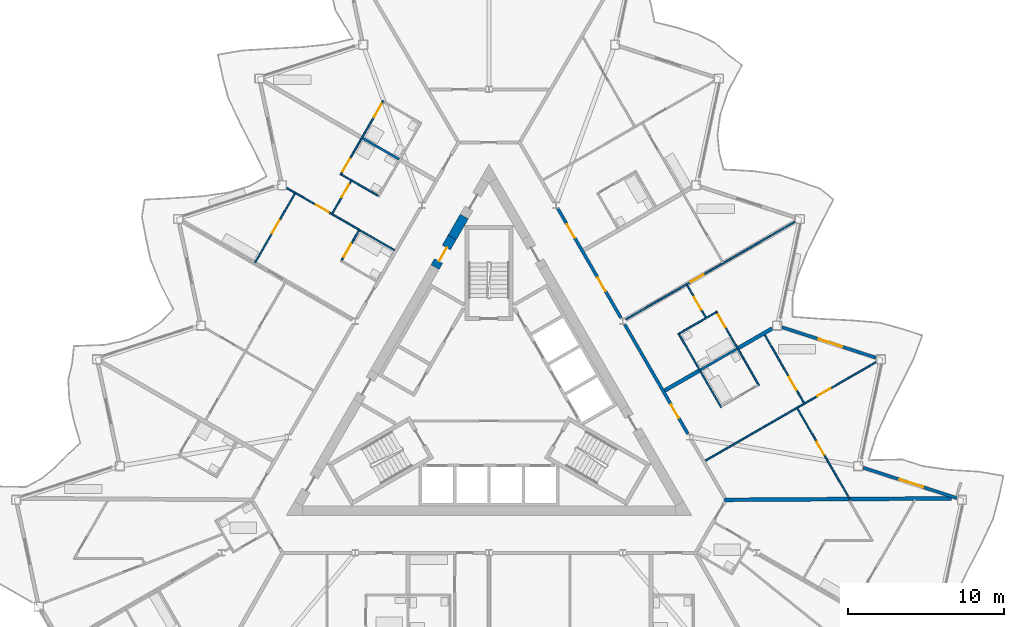
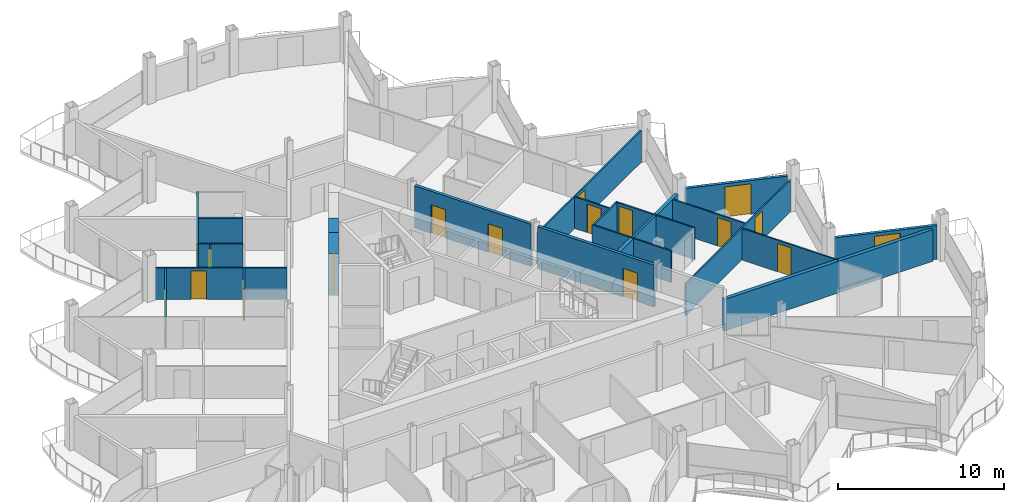
# One storey, part 16 of 26: 26 walls, 18 doors, 18 openings.
"""IFC4 building model written with IfcOpenShell, lengths in metres."""

from ifc_helpers import new_model, si_unit, direction, frame, frame_2d, origin, place, context, subcontext, project, spatial, rectangle, extrude, material, layer, layer_set, type_object, element, fill, save


model = new_model("IFC4")

# Units and contexts
model_context = context("Model", 3, precision=1e-05, world=origin(), true_north=direction((0.0, 1.0)))
body_context = subcontext(model_context, "Body", "Model", "MODEL_VIEW")
ifc_project = project(units=[si_unit("LENGTHUNIT", "METRE"), si_unit("AREAUNIT", "SQUARE_METRE"), si_unit("VOLUMEUNIT", "CUBIC_METRE"), si_unit("PLANEANGLEUNIT", "RADIAN"), si_unit("MASSUNIT", "GRAM", prefix="KILO")], contexts=[model_context])

# Site, building, storey
site_placement = place(None, origin())
site = spatial("IfcSite", under=ifc_project, at=site_placement, CompositionType="ELEMENT")
building_placement = place(site_placement, origin())
building = spatial("IfcBuilding", under=site, at=building_placement, Name="Cormorant Prow Tower", CompositionType="ELEMENT")
storey_placement = place(building_placement, frame((0.0, 0.0, 339.199951171875)))
storey = spatial("IfcBuildingStorey", under=building, at=storey_placement, Name="L76", CompositionType="ELEMENT", Elevation=339.199951171875)

# Wall
ifc_material_1 = material(Name="Concrete 8000 psi", Category="concrete")
ifc_layer_1 = layer(ifc_material_1, 0.60009765625)
ifc_layer_set_1 = layer_set([ifc_layer_1], Name="Concrete 8000 psi")
wall_type_1 = type_object("IfcWallType", Name="Core shear wall 600", PredefinedType="SHEAR", material=ifc_layer_set_1)
wall_1_placement = place(storey_placement, frame((-1.589599609375, 11.65771484375, 0.0), z_axis=(0.0, 0.0, 1.0), x_axis=(-0.500037594623, -0.866003697431, 0.0)))
element("IfcWall", 1, at=wall_1_placement, inside=storey, type_object=wall_type_1, Name="Core wall", PredefinedType="SHEAR", context=body_context, shape_type="SweptSolid", body=[
    extrude(rectangle(XDim=1.54248046875, YDim=0.60009765625, at=frame_2d((0.771240234375, 0.0))), origin(), (0.0, 0.0, 1.0), 3.10009765625),
])

# Wall, opening, door
wall_2_placement = place(storey_placement, frame((-2.36083984375, 10.322021484375, 0.0), z_axis=(0.0, 0.0, 1.0), x_axis=(-0.499946605688, -0.86605622881, 0.0)))
wall_2 = element("IfcWall", 2, at=wall_2_placement, inside=storey, type_object=wall_type_1, Name="Core wall door panel", PredefinedType="SHEAR", context=body_context, shape_type="SweptSolid", body=[
    extrude(rectangle(XDim=2.199951171875, YDim=0.60009765625, at=frame_2d((1.10009765625, 0.0))), origin(), (0.0, 0.0, 1.0), 3.10009765625),
])
opening_1_placement = place(wall_2_placement, frame((0.75, 0.0, 0.0)))
opening_1 = element("IfcOpeningElement", 3, at=opening_1_placement, cuts=wall_2, Name="Opening L76-C18", PredefinedType="OPENING", context=body_context, shape_type="SweptSolid", body=[
    extrude(rectangle(XDim=1.0, YDim=2.10009765625, at=frame_2d((0.5, 1.050048828125))), frame((0.0, 0.31005859375, 0.0), z_axis=(0.0, -1.0, 0.0), x_axis=(1.0, 0.0, 0.0)), (0.0, 0.0, 1.0), 0.6201171875),
])
ifc_material_2 = material(Name="Painted steel", Category="steel")
door_type_1 = type_object("IfcDoorType", Name="Service door 1000x2100", OperationType="NOTDEFINED", PredefinedType="DOOR", material=ifc_material_2)
door_1_placement = place(opening_1_placement, origin())
door_1 = element("IfcDoor", 4, at=door_1_placement, inside=storey, type_object=door_type_1, Name="Core door, Mechanical riser room", OperationType="SINGLE_SWING_LEFT", OverallHeight=2.10009765625, OverallWidth=1.0, PredefinedType="DOOR", context=body_context, shape_type="SweptSolid", body=[
    extrude(rectangle(XDim=1.0, YDim=2.10009765625, at=frame_2d((0.5, 1.050048828125))), frame((0.0, 0.05517578125, 0.0), z_axis=(0.0, -1.0, 0.0), x_axis=(1.0, 0.0, 0.0)), (0.0, 0.0, 1.0), 0.050048828125),
])
fill(opening_1, door_1)

# Wall, openings, doors
ifc_material_3 = material(Name="Gypsum board corridor wall")
ifc_layer_2 = layer(ifc_material_3, 0.199951171875)
ifc_layer_set_2 = layer_set([ifc_layer_2], Name="Gypsum board corridor wall")
wall_type_2 = type_object("IfcWallType", Name="Corridor wall 200", PredefinedType="PARTITIONING", material=ifc_layer_set_2)
wall_3_placement = place(storey_placement, frame((4.4091796875, 12.17431640625, 0.0), z_axis=(0.0, 0.0, 1.0), x_axis=(0.499984266882, -0.866034487114, 0.0)))
wall_3 = element("IfcWall", 5, at=wall_3_placement, inside=storey, type_object=wall_type_2, Name="Corridor wall", PredefinedType="PARTITIONING", context=body_context, shape_type="SweptSolid", body=[
    extrude(rectangle(XDim=8.098876953125, YDim=0.199951171875, at=frame_2d((4.04931640625, 0.0))), origin(), (0.0, 0.0, 1.0), 3.10009765625),
])
opening_2_placement = place(wall_3_placement, frame((5.123046875, 0.0, 0.0)))
opening_2 = element("IfcOpeningElement", 6, at=opening_2_placement, cuts=wall_3, Name="Opening L76-F28", PredefinedType="OPENING", context=body_context, shape_type="SweptSolid", body=[
    extrude(rectangle(XDim=1.0, YDim=2.10009765625, at=frame_2d((0.5, 1.050048828125))), frame((0.0, 0.10986328125, 0.0), z_axis=(0.0, -1.0, 0.0), x_axis=(1.0, 0.0, 0.0)), (0.0, 0.0, 1.0), 0.219970703125),
])
opening_3_placement = place(wall_3_placement, frame((1.16357421875, 0.0, 0.0)))
opening_3 = element("IfcOpeningElement", 7, at=opening_3_placement, cuts=wall_3, Name="Opening L76-F33", PredefinedType="OPENING", context=body_context, shape_type="SweptSolid", body=[
    extrude(rectangle(XDim=1.0, YDim=2.10009765625, at=frame_2d((0.5, 1.050048828125))), frame((0.0, 0.10986328125, 0.0), z_axis=(0.0, -1.0, 0.0), x_axis=(1.0, 0.0, 0.0)), (0.0, 0.0, 1.0), 0.219970703125),
])
ifc_material_4 = material(Name="Timber door leaf", Category="wood")
door_type_2 = type_object("IfcDoorType", Name="Flat or room entrance door 1000x2100", OperationType="NOTDEFINED", PredefinedType="DOOR", material=ifc_material_4)
door_2_placement = place(opening_2_placement, origin())
door_2 = element("IfcDoor", 8, at=door_2_placement, inside=storey, type_object=door_type_2, Name="Living room door", OperationType="SINGLE_SWING_LEFT", OverallHeight=2.10009765625, OverallWidth=1.0, PredefinedType="DOOR", context=body_context, shape_type="SweptSolid", body=[
    extrude(rectangle(XDim=1.0, YDim=2.10009765625, at=frame_2d((0.5, 1.050048828125))), frame((0.0, 0.02490234375, 0.0), z_axis=(0.0, -1.0, 0.0), x_axis=(1.0, 0.0, 0.0)), (0.0, 0.0, 1.0), 0.050048828125),
])
fill(opening_2, door_2)
door_3_placement = place(opening_3_placement, origin())
door_3 = element("IfcDoor", 9, at=door_3_placement, inside=storey, type_object=door_type_2, Name="Living room door", OperationType="SINGLE_SWING_RIGHT", OverallHeight=2.10009765625, OverallWidth=1.0, PredefinedType="DOOR", context=body_context, shape_type="SweptSolid", body=[
    extrude(rectangle(XDim=1.0, YDim=2.10009765625, at=frame_2d((0.5, 1.050048828125))), frame((0.0, 0.02490234375, 0.0), z_axis=(0.0, -1.0, 0.0), x_axis=(1.0, 0.0, 0.0)), (0.0, 0.0, 1.0), 0.050048828125),
])
fill(opening_3, door_3)

# Wall, opening, door
wall_4_placement = place(storey_placement, frame((8.698486328125, 4.7451171875, 0.0), z_axis=(0.0, 0.0, 1.0), x_axis=(0.499984266882, -0.866034487114, 0.0)))
wall_4 = element("IfcWall", 10, at=wall_4_placement, inside=storey, type_object=wall_type_2, Name="Corridor wall", PredefinedType="PARTITIONING", context=body_context, shape_type="SweptSolid", body=[
    extrude(rectangle(XDim=8.098876953125, YDim=0.199951171875, at=frame_2d((4.04931640625, 0.0))), origin(), (0.0, 0.0, 1.0), 3.10009765625),
])
opening_4_placement = place(wall_4_placement, frame((5.93505859375, 0.0, 0.0)))
opening_4 = element("IfcOpeningElement", 11, at=opening_4_placement, cuts=wall_4, Name="Opening L76-F23", PredefinedType="OPENING", context=body_context, shape_type="SweptSolid", body=[
    extrude(rectangle(XDim=1.0, YDim=2.10009765625, at=frame_2d((0.5, 1.050048828125))), frame((0.0, 0.10986328125, 0.0), z_axis=(0.0, -1.0, 0.0), x_axis=(1.0, 0.0, 0.0)), (0.0, 0.0, 1.0), 0.219970703125),
])
door_4_placement = place(opening_4_placement, origin())
door_4 = element("IfcDoor", 12, at=door_4_placement, inside=storey, type_object=door_type_2, Name="Living room door", OperationType="SINGLE_SWING_LEFT", OverallHeight=2.10009765625, OverallWidth=1.0, PredefinedType="DOOR", context=body_context, shape_type="SweptSolid", body=[
    extrude(rectangle(XDim=1.0, YDim=2.10009765625, at=frame_2d((0.5, 1.050048828125))), frame((0.0, 0.02490234375, 0.0), z_axis=(0.0, -1.0, 0.0), x_axis=(1.0, 0.0, 0.0)), (0.0, 0.0, 1.0), 0.050048828125),
])
fill(opening_4, door_4)

ifc_material_5 = material(Name="Gypsum board partition")
ifc_layer_3 = layer(ifc_material_5, 0.10009765625)
ifc_layer_set_3 = layer_set([ifc_layer_3], Name="Gypsum board partition")
wall_type_3 = type_object("IfcWallType", Name="Internal partition 100", PredefinedType="PARTITIONING", material=ifc_layer_set_3)
wall_5_placement = place(storey_placement, frame((13.862548828125, -3.99951171875, 0.0), z_axis=(0.0, 0.0, 1.0), x_axis=(0.866033203648, 0.499986489997, 0.0)))
wall_5 = element("IfcWall", 13, at=wall_5_placement, inside=storey, type_object=wall_type_3, Name="Internal partition", PredefinedType="PARTITIONING", context=body_context, shape_type="SweptSolid", body=[
    extrude(rectangle(XDim=12.646240234375, YDim=0.10009765625, at=frame_2d((6.3232421875, 0.0))), origin(), (0.0, 0.0, 1.0), 2.330078125),
])
opening_5_placement = place(wall_5_placement, frame((8.3193359375, 0.0, 0.0)))
opening_5 = element("IfcOpeningElement", 14, at=opening_5_placement, cuts=wall_5, Name="Opening L76-F26", PredefinedType="OPENING", context=body_context, shape_type="SweptSolid", body=[
    extrude(rectangle(XDim=0.949951171875, YDim=2.10009765625, at=frame_2d((0.47509765625, 1.050048828125))), frame((0.0, 0.06005859375, 0.0), z_axis=(0.0, -1.0, 0.0), x_axis=(1.0, 0.0, 0.0)), (0.0, 0.0, 1.0), 0.1201171875),
])
ifc_material_6 = material(Name="Timber door leaf", Category="wood")
door_type_3 = type_object("IfcDoorType", Name="Bathroom door 950x2100", OperationType="NOTDEFINED", PredefinedType="DOOR", material=ifc_material_6)
door_5_placement = place(opening_5_placement, origin())
door_5 = element("IfcDoor", 15, at=door_5_placement, inside=storey, type_object=door_type_3, Name="Kitchen door", OperationType="SINGLE_SWING_LEFT", OverallHeight=2.10009765625, OverallWidth=0.949951171875, PredefinedType="DOOR", context=body_context, shape_type="SweptSolid", body=[
    extrude(rectangle(XDim=0.949951171875, YDim=2.10009765625, at=frame_2d((0.47509765625, 1.050048828125))), frame((0.0, 0.02490234375, 0.0), z_axis=(0.0, -1.0, 0.0), x_axis=(1.0, 0.0, 0.0)), (0.0, 0.0, 1.0), 0.050048828125),
])
fill(opening_5, door_5)

wall_6_placement = place(storey_placement, frame((8.7861328125, 5.07275390625, 0.0), z_axis=(0.0, 0.0, 1.0), x_axis=(0.86602139559, 0.500006942333, 0.0)))
wall_6 = element("IfcWall", 16, at=wall_6_placement, inside=storey, type_object=wall_type_3, Name="Internal partition", PredefinedType="PARTITIONING", context=body_context, shape_type="SweptSolid", body=[
    extrude(rectangle(XDim=12.504638671875, YDim=0.10009765625, at=frame_2d((6.25244140625, 0.0))), origin(), (0.0, 0.0, 1.0), 2.330078125),
])
opening_6_placement = place(wall_6_placement, frame((4.7724609375, 0.0, 0.0)))
opening_6 = element("IfcOpeningElement", 17, at=opening_6_placement, cuts=wall_6, Name="Opening L76-F30", PredefinedType="OPENING", context=body_context, shape_type="SweptSolid", body=[
    extrude(rectangle(XDim=0.949951171875, YDim=2.10009765625, at=frame_2d((0.47509765625, 1.050048828125))), frame((0.0, 0.06005859375, 0.0), z_axis=(0.0, -1.0, 0.0), x_axis=(1.0, 0.0, 0.0)), (0.0, 0.0, 1.0), 0.1201171875),
])
door_6_placement = place(opening_6_placement, origin())
door_6 = element("IfcDoor", 18, at=door_6_placement, inside=storey, type_object=door_type_3, Name="Living room door", OperationType="SINGLE_SWING_LEFT", OverallHeight=2.10009765625, OverallWidth=0.949951171875, PredefinedType="DOOR", context=body_context, shape_type="SweptSolid", body=[
    extrude(rectangle(XDim=0.949951171875, YDim=2.10009765625, at=frame_2d((0.47509765625, 1.050048828125))), frame((0.0, 0.02490234375, 0.0), z_axis=(0.0, -1.0, 0.0), x_axis=(1.0, 0.0, 0.0)), (0.0, 0.0, 1.0), 0.050048828125),
])
fill(opening_6, door_6)

wall_7_placement = place(storey_placement, frame((-12.9619140625, 13.485107421875, 0.0), z_axis=(0.0, 0.0, 1.0), x_axis=(0.866021168401, -0.500007335828, 0.0)))
wall_7 = element("IfcWall", 19, at=wall_7_placement, inside=storey, type_object=wall_type_3, Name="Internal partition", PredefinedType="PARTITIONING", context=body_context, shape_type="SweptSolid", body=[
    extrude(rectangle(XDim=7.96240234375, YDim=0.10009765625, at=frame_2d((3.981201171875, 0.0))), origin(), (0.0, 0.0, 1.0), 2.330078125),
])
opening_7_placement = place(wall_7_placement, frame((2.153564453125, 0.0, 0.0)))
opening_7 = element("IfcOpeningElement", 20, at=opening_7_placement, cuts=wall_7, Name="Opening L76-F45", PredefinedType="OPENING", context=body_context, shape_type="SweptSolid", body=[
    extrude(rectangle(XDim=0.949951171875, YDim=2.10009765625, at=frame_2d((0.47509765625, 1.050048828125))), frame((0.0, 0.06005859375, 0.0), z_axis=(0.0, -1.0, 0.0), x_axis=(1.0, 0.0, 0.0)), (0.0, 0.0, 1.0), 0.1201171875),
])
door_7_placement = place(opening_7_placement, origin())
door_7 = element("IfcDoor", 21, at=door_7_placement, inside=storey, type_object=door_type_3, Name="Living room door", OperationType="SINGLE_SWING_RIGHT", OverallHeight=2.10009765625, OverallWidth=0.949951171875, PredefinedType="DOOR", context=body_context, shape_type="SweptSolid", body=[
    extrude(rectangle(XDim=0.949951171875, YDim=2.10009765625, at=frame_2d((0.47509765625, 1.050048828125))), frame((0.0, 0.02490234375, 0.0), z_axis=(0.0, -1.0, 0.0), x_axis=(1.0, 0.0, 0.0)), (0.0, 0.0, 1.0), 0.050048828125),
])
fill(opening_7, door_7)

wall_8_placement = place(storey_placement, frame((19.772705078125, -0.64501953125, 0.0), z_axis=(0.0, 0.0, 1.0), x_axis=(0.499998644583, -0.866026186333, 0.0)))
wall_8 = element("IfcWall", 22, at=wall_8_placement, inside=storey, type_object=wall_type_3, Name="Internal partition", PredefinedType="PARTITIONING", context=body_context, shape_type="SweptSolid", body=[
    extrude(rectangle(XDim=6.7080078125, YDim=0.10009765625, at=frame_2d((3.35400390625, 0.0))), origin(), (0.0, 0.0, 1.0), 2.330078125),
])
opening_8_placement = place(wall_8_placement, frame((2.474609375, 0.0, 0.0)))
opening_8 = element("IfcOpeningElement", 23, at=opening_8_placement, cuts=wall_8, Name="Opening L76-F27", PredefinedType="OPENING", context=body_context, shape_type="SweptSolid", body=[
    extrude(rectangle(XDim=0.949951171875, YDim=2.10009765625, at=frame_2d((0.47509765625, 1.050048828125))), frame((0.0, 0.06005859375, 0.0), z_axis=(0.0, -1.0, 0.0), x_axis=(1.0, 0.0, 0.0)), (0.0, 0.0, 1.0), 0.1201171875),
])
door_8_placement = place(opening_8_placement, origin())
door_8 = element("IfcDoor", 24, at=door_8_placement, inside=storey, type_object=door_type_3, Name="Bedroom door", OperationType="SINGLE_SWING_RIGHT", OverallHeight=2.10009765625, OverallWidth=0.949951171875, PredefinedType="DOOR", context=body_context, shape_type="SweptSolid", body=[
    extrude(rectangle(XDim=0.949951171875, YDim=2.10009765625, at=frame_2d((0.47509765625, 1.050048828125))), frame((0.0, 0.02490234375, 0.0), z_axis=(0.0, -1.0, 0.0), x_axis=(1.0, 0.0, 0.0)), (0.0, 0.0, 1.0), 0.050048828125),
])
fill(opening_8, door_8)

# Wall, openings, doors
wall_9_placement = place(storey_placement, frame((-9.51904296875, 14.323486328125, 0.0), z_axis=(0.0, 0.0, 1.0), x_axis=(0.499996545922, 0.866027397988, 0.0)))
wall_9 = element("IfcWall", 25, at=wall_9_placement, inside=storey, type_object=wall_type_3, Name="Internal partition", PredefinedType="PARTITIONING", context=body_context, shape_type="SweptSolid", body=[
    extrude(rectangle(XDim=5.5, YDim=0.10009765625, at=frame_2d((2.75, 0.0))), origin(), (0.0, 0.0, 1.0), 2.330078125),
])
opening_9_placement = place(wall_9_placement, frame((4.300048828125, 0.0, 0.0)))
opening_9 = element("IfcOpeningElement", 26, at=opening_9_placement, cuts=wall_9, Name="Opening L76-F41", PredefinedType="OPENING", context=body_context, shape_type="SweptSolid", body=[
    extrude(rectangle(XDim=0.949951171875, YDim=2.10009765625, at=frame_2d((0.47509765625, 1.050048828125))), frame((0.0, 0.06005859375, 0.0), z_axis=(0.0, -1.0, 0.0), x_axis=(1.0, 0.0, 0.0)), (0.0, 0.0, 1.0), 0.1201171875),
])
opening_10_placement = place(wall_9_placement, frame((0.25, 0.0, 0.0)))
opening_10 = element("IfcOpeningElement", 27, at=opening_10_placement, cuts=wall_9, Name="Opening L76-F51", PredefinedType="OPENING", context=body_context, shape_type="SweptSolid", body=[
    extrude(rectangle(XDim=0.949951171875, YDim=2.10009765625, at=frame_2d((0.47509765625, 1.050048828125))), frame((0.0, 0.06005859375, 0.0), z_axis=(0.0, -1.0, 0.0), x_axis=(1.0, 0.0, 0.0)), (0.0, 0.0, 1.0), 0.1201171875),
])
door_9_placement = place(opening_9_placement, origin())
door_9 = element("IfcDoor", 28, at=door_9_placement, inside=storey, type_object=door_type_3, Name="Studio living, kitchen and sleeping room door", OperationType="SINGLE_SWING_RIGHT", OverallHeight=2.10009765625, OverallWidth=0.949951171875, PredefinedType="DOOR", context=body_context, shape_type="SweptSolid", body=[
    extrude(rectangle(XDim=0.949951171875, YDim=2.10009765625, at=frame_2d((0.47509765625, 1.050048828125))), frame((0.0, 0.02490234375, 0.0), z_axis=(0.0, -1.0, 0.0), x_axis=(1.0, 0.0, 0.0)), (0.0, 0.0, 1.0), 0.050048828125),
])
fill(opening_9, door_9)
door_10_placement = place(opening_10_placement, origin())
door_10 = element("IfcDoor", 29, at=door_10_placement, inside=storey, type_object=door_type_3, Name="Bedroom door", OperationType="SINGLE_SWING_LEFT", OverallHeight=2.10009765625, OverallWidth=0.949951171875, PredefinedType="DOOR", context=body_context, shape_type="SweptSolid", body=[
    extrude(rectangle(XDim=0.949951171875, YDim=2.10009765625, at=frame_2d((0.47509765625, 1.050048828125))), frame((0.0, 0.02490234375, 0.0), z_axis=(0.0, -1.0, 0.0), x_axis=(1.0, 0.0, 0.0)), (0.0, 0.0, 1.0), 0.050048828125),
])
fill(opening_10, door_10)

# Wall, opening, door
wall_10_placement = place(storey_placement, frame((14.5654296875, 5.583251953125, 0.0), z_axis=(0.0, 0.0, 1.0), x_axis=(0.499996545922, -0.866027397988, 0.0)))
wall_10 = element("IfcWall", 30, at=wall_10_placement, inside=storey, type_object=wall_type_3, Name="Internal partition", PredefinedType="PARTITIONING", context=body_context, shape_type="SweptSolid", body=[
    extrude(rectangle(XDim=5.5, YDim=0.10009765625, at=frame_2d((2.75, 0.0))), origin(), (0.0, 0.0, 1.0), 2.330078125),
])
opening_11_placement = place(wall_10_placement, frame((0.25, 0.0, 0.0)))
opening_11 = element("IfcOpeningElement", 31, at=opening_11_placement, cuts=wall_10, Name="Opening L76-F32", PredefinedType="OPENING", context=body_context, shape_type="SweptSolid", body=[
    extrude(rectangle(XDim=0.949951171875, YDim=2.10009765625, at=frame_2d((0.47509765625, 1.050048828125))), frame((0.0, 0.06005859375, 0.0), z_axis=(0.0, -1.0, 0.0), x_axis=(1.0, 0.0, 0.0)), (0.0, 0.0, 1.0), 0.1201171875),
])
door_11_placement = place(opening_11_placement, origin())
door_11 = element("IfcDoor", 32, at=door_11_placement, inside=storey, type_object=door_type_3, Name="Bedroom door", OperationType="SINGLE_SWING_LEFT", OverallHeight=2.10009765625, OverallWidth=0.949951171875, PredefinedType="DOOR", context=body_context, shape_type="SweptSolid", body=[
    extrude(rectangle(XDim=0.949951171875, YDim=2.10009765625, at=frame_2d((0.47509765625, 1.050048828125))), frame((0.0, 0.02490234375, 0.0), z_axis=(0.0, -1.0, 0.0), x_axis=(1.0, 0.0, 0.0)), (0.0, 0.0, 1.0), 0.050048828125),
])
fill(opening_11, door_11)

# Wall
wall_11_placement = place(storey_placement, frame((12.140380859375, 4.18310546875, 0.0), z_axis=(0.0, 0.0, 1.0), x_axis=(0.499996545922, -0.866027397988, 0.0)))
element("IfcWall", 33, at=wall_11_placement, inside=storey, type_object=wall_type_3, Name="Internal partition", PredefinedType="PARTITIONING", context=body_context, shape_type="SweptSolid", body=[
    extrude(rectangle(XDim=5.5, YDim=0.10009765625, at=frame_2d((2.75, 0.0))), origin(), (0.0, 0.0, 1.0), 2.330078125),
])

# Wall, opening, door
wall_12_placement = place(storey_placement, frame((-14.993896484375, 8.71435546875, 0.0), z_axis=(0.0, 0.0, 1.0), x_axis=(0.500012659481, 0.866018094706, 0.0)))
wall_12 = element("IfcWall", 34, at=wall_12_placement, inside=storey, type_object=wall_type_3, Name="Internal partition", PredefinedType="PARTITIONING", context=body_context, shape_type="SweptSolid", body=[
    extrude(rectangle(XDim=5.097412109375, YDim=0.10009765625, at=frame_2d((2.548828125, 0.0))), origin(), (0.0, 0.0, 1.0), 2.330078125),
])
opening_12_placement = place(wall_12_placement, frame((2.175048828125, 0.0, 0.0)))
opening_12 = element("IfcOpeningElement", 35, at=opening_12_placement, cuts=wall_12, Name="Opening L76-F44", PredefinedType="OPENING", context=body_context, shape_type="SweptSolid", body=[
    extrude(rectangle(XDim=0.949951171875, YDim=2.10009765625, at=frame_2d((0.47509765625, 1.050048828125))), frame((0.0, 0.06005859375, 0.0), z_axis=(0.0, -1.0, 0.0), x_axis=(1.0, 0.0, 0.0)), (0.0, 0.0, 1.0), 0.1201171875),
])
door_12_placement = place(opening_12_placement, origin())
door_12 = element("IfcDoor", 36, at=door_12_placement, inside=storey, type_object=door_type_3, Name="Living room door", OperationType="SINGLE_SWING_RIGHT", OverallHeight=2.10009765625, OverallWidth=0.949951171875, PredefinedType="DOOR", context=body_context, shape_type="SweptSolid", body=[
    extrude(rectangle(XDim=0.949951171875, YDim=2.10009765625, at=frame_2d((0.47509765625, 1.050048828125))), frame((0.0, 0.02490234375, 0.0), z_axis=(0.0, -1.0, 0.0), x_axis=(1.0, 0.0, 0.0)), (0.0, 0.0, 1.0), 0.050048828125),
])
fill(opening_12, door_12)

wall_13_placement = place(storey_placement, frame((17.68017578125, 4.061767578125, 0.0), z_axis=(0.0, 0.0, 1.0), x_axis=(0.499997360652, -0.866026927608, 0.0)))
wall_13 = element("IfcWall", 37, at=wall_13_placement, inside=storey, type_object=wall_type_3, Name="Internal partition", PredefinedType="PARTITIONING", context=body_context, shape_type="SweptSolid", body=[
    extrude(rectangle(XDim=5.0224609375, YDim=0.10009765625, at=frame_2d((2.51123046875, 0.0))), origin(), (0.0, 0.0, 1.0), 2.330078125),
])
opening_13_placement = place(wall_13_placement, frame((3.10791015625, 0.0, 0.0)))
opening_13 = element("IfcOpeningElement", 38, at=opening_13_placement, cuts=wall_13, Name="Opening L76-F25", PredefinedType="OPENING", context=body_context, shape_type="SweptSolid", body=[
    extrude(rectangle(XDim=0.949951171875, YDim=2.10009765625, at=frame_2d((0.47509765625, 1.050048828125))), frame((0.0, 0.06005859375, 0.0), z_axis=(0.0, -1.0, 0.0), x_axis=(1.0, 0.0, 0.0)), (0.0, 0.0, 1.0), 0.1201171875),
])
door_13_placement = place(opening_13_placement, origin())
door_13 = element("IfcDoor", 39, at=door_13_placement, inside=storey, type_object=door_type_3, Name="Living room door", OperationType="SINGLE_SWING_RIGHT", OverallHeight=2.10009765625, OverallWidth=0.949951171875, PredefinedType="DOOR", context=body_context, shape_type="SweptSolid", body=[
    extrude(rectangle(XDim=0.949951171875, YDim=2.10009765625, at=frame_2d((0.47509765625, 1.050048828125))), frame((0.0, 0.02490234375, 0.0), z_axis=(0.0, -1.0, 0.0), x_axis=(1.0, 0.0, 0.0)), (0.0, 0.0, 1.0), 0.050048828125),
])
fill(opening_13, door_13)

# Walls
wall_14_placement = place(storey_placement, frame((-9.45068359375, 14.341796875, 0.0), z_axis=(0.0, 0.0, 1.0), x_axis=(0.866036505625, -0.499980770555, 0.0)))
element("IfcWall", 40, at=wall_14_placement, inside=storey, type_object=wall_type_3, Name="Internal partition", PredefinedType="PARTITIONING", context=body_context, shape_type="SweptSolid", body=[
    extrude(rectangle(XDim=2.69970703125, YDim=0.10009765625, at=frame_2d((1.349853515625, 0.0))), origin(), (0.0, 0.0, 1.0), 2.330078125),
])
wall_15_placement = place(storey_placement, frame((12.208740234375, 4.164794921875, 0.0), z_axis=(0.0, 0.0, 1.0), x_axis=(0.866019956843, 0.50000943426, 0.0)))
element("IfcWall", 41, at=wall_15_placement, inside=storey, type_object=wall_type_3, Name="Internal partition", PredefinedType="PARTITIONING", context=body_context, shape_type="SweptSolid", body=[
    extrude(rectangle(XDim=2.7001953125, YDim=0.10009765625, at=frame_2d((1.35009765625, 0.0))), origin(), (0.0, 0.0, 1.0), 2.330078125),
])

# Wall, opening, door
wall_16_placement = place(storey_placement, frame((12.696044921875, 7.272216796875, 0.0), z_axis=(0.0, 0.0, 1.0), x_axis=(0.500016292001, -0.866015997389, 0.0)))
wall_16 = element("IfcWall", 42, at=wall_16_placement, inside=storey, type_object=wall_type_3, Name="Internal partition", PredefinedType="PARTITIONING", context=body_context, shape_type="SweptSolid", body=[
    extrude(rectangle(XDim=2.3974609375, YDim=0.10009765625, at=frame_2d((1.19873046875, 0.0))), origin(), (0.0, 0.0, 1.0), 2.330078125),
])
opening_14_placement = place(wall_16_placement, frame((0.881591796875, 0.0, 0.0)))
opening_14 = element("IfcOpeningElement", 43, at=opening_14_placement, cuts=wall_16, Name="Opening L76-F31", PredefinedType="OPENING", context=body_context, shape_type="SweptSolid", body=[
    extrude(rectangle(XDim=0.949951171875, YDim=2.10009765625, at=frame_2d((0.47509765625, 1.050048828125))), frame((0.0, 0.06005859375, 0.0), z_axis=(0.0, -1.0, 0.0), x_axis=(1.0, 0.0, 0.0)), (0.0, 0.0, 1.0), 0.1201171875),
])
door_14_placement = place(opening_14_placement, origin())
door_14 = element("IfcDoor", 44, at=door_14_placement, inside=storey, type_object=door_type_3, Name="Bedroom door", OperationType="SINGLE_SWING_RIGHT", OverallHeight=2.10009765625, OverallWidth=0.949951171875, PredefinedType="DOOR", context=body_context, shape_type="SweptSolid", body=[
    extrude(rectangle(XDim=0.949951171875, YDim=2.10009765625, at=frame_2d((0.47509765625, 1.050048828125))), frame((0.0, 0.02490234375, 0.0), z_axis=(0.0, -1.0, 0.0), x_axis=(1.0, 0.0, 0.0)), (0.0, 0.0, 1.0), 0.050048828125),
])
fill(opening_14, door_14)

wall_17_placement = place(storey_placement, frame((-10.04736328125, 11.860107421875, 0.0), z_axis=(0.0, 0.0, 1.0), x_axis=(0.500092661743, 0.865971898892, 0.0)))
wall_17 = element("IfcWall", 45, at=wall_17_placement, inside=storey, type_object=wall_type_3, Name="Internal partition", PredefinedType="PARTITIONING", context=body_context, shape_type="SweptSolid", body=[
    extrude(rectangle(XDim=2.3974609375, YDim=0.10009765625, at=frame_2d((1.19873046875, 0.0))), origin(), (0.0, 0.0, 1.0), 2.330078125),
])
opening_15_placement = place(wall_17_placement, frame((1.197509765625, 0.0, 0.0)))
opening_15 = element("IfcOpeningElement", 46, at=opening_15_placement, cuts=wall_17, Name="Opening L76-F46", PredefinedType="OPENING", context=body_context, shape_type="SweptSolid", body=[
    extrude(rectangle(XDim=0.949951171875, YDim=2.10009765625, at=frame_2d((0.47509765625, 1.050048828125))), frame((0.0, 0.06005859375, 0.0), z_axis=(0.0, -1.0, 0.0), x_axis=(1.0, 0.0, 0.0)), (0.0, 0.0, 1.0), 0.1201171875),
])
door_15_placement = place(opening_15_placement, origin())
door_15 = element("IfcDoor", 47, at=door_15_placement, inside=storey, type_object=door_type_3, Name="Bedroom door", OperationType="SINGLE_SWING_RIGHT", OverallHeight=2.10009765625, OverallWidth=0.949951171875, PredefinedType="DOOR", context=body_context, shape_type="SweptSolid", body=[
    extrude(rectangle(XDim=0.949951171875, YDim=2.10009765625, at=frame_2d((0.47509765625, 1.050048828125))), frame((0.0, 0.02490234375, 0.0), z_axis=(0.0, -1.0, 0.0), x_axis=(1.0, 0.0, 0.0)), (0.0, 0.0, 1.0), 0.050048828125),
])
fill(opening_15, door_15)

wall_18_placement = place(storey_placement, frame((-9.443115234375, 8.85546875, 0.0), z_axis=(0.0, 0.0, 1.0), x_axis=(0.50002983664, 0.866008176907, 0.0)))
wall_18 = element("IfcWall", 48, at=wall_18_placement, inside=storey, type_object=wall_type_3, Name="Internal partition", PredefinedType="PARTITIONING", context=body_context, shape_type="SweptSolid", body=[
    extrude(rectangle(XDim=2.199951171875, YDim=0.10009765625, at=frame_2d((1.10009765625, 0.0))), origin(), (0.0, 0.0, 1.0), 2.330078125),
])
opening_16_placement = place(wall_18_placement, frame((0.25, 0.0, 0.0)))
opening_16 = element("IfcOpeningElement", 49, at=opening_16_placement, cuts=wall_18, Name="Opening L76-F43", PredefinedType="OPENING", context=body_context, shape_type="SweptSolid", body=[
    extrude(rectangle(XDim=0.949951171875, YDim=2.10009765625, at=frame_2d((0.47509765625, 1.050048828125))), frame((0.0, 0.06005859375, 0.0), z_axis=(0.0, -1.0, 0.0), x_axis=(1.0, 0.0, 0.0)), (0.0, 0.0, 1.0), 0.1201171875),
])
door_16_placement = place(opening_16_placement, origin())
door_16 = element("IfcDoor", 50, at=door_16_placement, inside=storey, type_object=door_type_3, Name="Living room door", OperationType="SINGLE_SWING_LEFT", OverallHeight=2.10009765625, OverallWidth=0.949951171875, PredefinedType="DOOR", context=body_context, shape_type="SweptSolid", body=[
    extrude(rectangle(XDim=0.949951171875, YDim=2.10009765625, at=frame_2d((0.47509765625, 1.050048828125))), frame((0.0, 0.02490234375, 0.0), z_axis=(0.0, -1.0, 0.0), x_axis=(1.0, 0.0, 0.0)), (0.0, 0.0, 1.0), 0.050048828125),
])
fill(opening_16, door_16)

# Walls
ifc_material_7 = material(Name="Acoustic gypsum party wall")
ifc_layer_4 = layer(ifc_material_7, 0.25)
ifc_layer_set_4 = layer_set([ifc_layer_4], Name="Acoustic gypsum party wall")
wall_type_4 = type_object("IfcWallType", Name="Suite party wall 250", PredefinedType="PARTITIONING", material=ifc_layer_set_4)
wall_19_placement = place(storey_placement, frame((15.06884765625, -6.50634765625, 0.0), z_axis=(0.0, 0.0, 1.0), x_axis=(0.999979186485, 0.006451867641, 0.0)))
element("IfcWall", 51, at=wall_19_placement, inside=storey, type_object=wall_type_4, Name="Suite party wall", PredefinedType="PARTITIONING", context=body_context, shape_type="SweptSolid", body=[
    extrude(rectangle(XDim=8.097900390625, YDim=0.25, at=frame_2d((4.048828125, 0.0))), origin(), (0.0, 0.0, 1.0), 2.330078125),
])
wall_20_placement = place(storey_placement, frame((23.115234375, -6.45458984375, 0.0), z_axis=(0.0, 0.0, 1.0), x_axis=(0.999979299397, 0.006434343627, 0.0)))
element("IfcWall", 52, at=wall_20_placement, inside=storey, type_object=wall_type_4, Name="Suite party wall", PredefinedType="PARTITIONING", context=body_context, shape_type="SweptSolid", body=[
    extrude(rectangle(XDim=6.5263671875, YDim=0.25, at=frame_2d((3.26318359375, 0.0))), origin(), (0.0, 0.0, 1.0), 2.330078125),
])
wall_21_placement = place(storey_placement, frame((11.263916015625, 0.501708984375, 0.0), z_axis=(0.0, 0.0, 1.0), x_axis=(0.866030925526, 0.499990435942, 0.0)))
element("IfcWall", 53, at=wall_21_placement, inside=storey, type_object=wall_type_4, Name="Suite party wall", PredefinedType="PARTITIONING", context=body_context, shape_type="SweptSolid", body=[
    extrude(rectangle(XDim=2.5498046875, YDim=0.25, at=frame_2d((1.27490234375, 0.0))), origin(), (0.0, 0.0, 1.0), 2.330078125),
])
wall_22_placement = place(storey_placement, frame((15.983642578125, 3.2265625, 0.0), z_axis=(0.0, 0.0, 1.0), x_axis=(0.8660174017, 0.500013859761, 0.0)))
element("IfcWall", 54, at=wall_22_placement, inside=storey, type_object=wall_type_4, Name="Suite party wall", PredefinedType="PARTITIONING", context=body_context, shape_type="SweptSolid", body=[
    extrude(rectangle(XDim=2.51416015625, YDim=0.25, at=frame_2d((1.257080078125, 0.0))), origin(), (0.0, 0.0, 1.0), 2.330078125),
])

# Wall, opening, door
ifc_material_8 = material(Name="Terracotta", Category="masonry")
ifc_layer_5 = layer(ifc_material_8, 0.199951171875)
ifc_layer_set_5 = layer_set([ifc_layer_5], Name="Terracotta")
wall_type_5 = type_object("IfcWallType", Name="Terracotta jamb wall 200", PredefinedType="SOLIDWALL", material=ifc_layer_set_5)
wall_23_placement = place(storey_placement, frame((29.995849609375, -6.39306640625, 0.0), z_axis=(0.0, 0.0, 1.0), x_axis=(-0.951051127664, 0.309033578383, 0.0)))
wall_23 = element("IfcWall", 55, at=wall_23_placement, inside=storey, type_object=wall_type_5, Name="Terracotta jamb wall ENE01", PredefinedType="SOLIDWALL", context=body_context, shape_type="SweptSolid", body=[
    extrude(rectangle(XDim=6.309814453125, YDim=0.199951171875, at=frame_2d((3.15478515625, 0.0))), origin(), (0.0, 0.0, 1.0), 2.488037109375),
])
opening_17_placement = place(wall_23_placement, frame((2.262939453125, 0.0, 0.0)))
opening_17 = element("IfcOpeningElement", 56, at=opening_17_placement, cuts=wall_23, Name="Opening ED76.06", PredefinedType="OPENING", context=body_context, shape_type="SweptSolid", body=[
    extrude(rectangle(XDim=1.60009765625, YDim=2.25, at=frame_2d((0.800048828125, 1.125))), frame((0.0, 0.10986328125, 0.0), z_axis=(0.0, -1.0, 0.0), x_axis=(1.0, 0.0, 0.0)), (0.0, 0.0, 1.0), 0.219970703125),
])
ifc_material_9 = material(Name="Aluminium 6063-T6", Category="aluminium")
door_type_4 = type_object("IfcDoorType", Name="Balcony door 1600x2250", OperationType="DOUBLE_DOOR_SINGLE_SWING", PredefinedType="DOOR", material=ifc_material_9)
door_17_placement = place(opening_17_placement, origin())
door_17 = element("IfcDoor", 57, at=door_17_placement, inside=storey, type_object=door_type_4, Name="Balcony door ENE01 ED76.06", OperationType="DOUBLE_DOOR_SINGLE_SWING", OverallHeight=2.25, OverallWidth=1.60009765625, PredefinedType="DOOR", context=body_context, shape_type="SweptSolid", body=[
    extrude(rectangle(XDim=1.60009765625, YDim=2.25, at=frame_2d((0.800048828125, 1.125))), frame((0.0, 0.02490234375, 0.0), z_axis=(0.0, -1.0, 0.0), x_axis=(1.0, 0.0, 0.0)), (0.0, 0.0, 1.0), 0.050048828125),
])
fill(opening_17, door_17)

wall_24_placement = place(storey_placement, frame((24.79833984375, 2.609375, 0.0), z_axis=(0.0, 0.0, 1.0), x_axis=(-0.951065616977, 0.308988983952, 0.0)))
wall_24 = element("IfcWall", 58, at=wall_24_placement, inside=storey, type_object=wall_type_5, Name="Terracotta jamb wall ENE03", PredefinedType="SOLIDWALL", context=body_context, shape_type="SweptSolid", body=[
    extrude(rectangle(XDim=6.3115234375, YDim=0.199951171875, at=frame_2d((3.15576171875, 0.0))), origin(), (0.0, 0.0, 1.0), 2.488037109375),
])
opening_18_placement = place(wall_24_placement, frame((2.262939453125, 0.0, 0.0)))
opening_18 = element("IfcOpeningElement", 59, at=opening_18_placement, cuts=wall_24, Name="Opening ED76.07", PredefinedType="OPENING", context=body_context, shape_type="SweptSolid", body=[
    extrude(rectangle(XDim=1.60009765625, YDim=2.25, at=frame_2d((0.800048828125, 1.125))), frame((0.0, 0.10986328125, 0.0), z_axis=(0.0, -1.0, 0.0), x_axis=(1.0, 0.0, 0.0)), (0.0, 0.0, 1.0), 0.219970703125),
])
door_18_placement = place(opening_18_placement, origin())
door_18 = element("IfcDoor", 60, at=door_18_placement, inside=storey, type_object=door_type_4, Name="Balcony door ENE03 ED76.07", OperationType="DOUBLE_DOOR_SINGLE_SWING", OverallHeight=2.25, OverallWidth=1.60009765625, PredefinedType="DOOR", context=body_context, shape_type="SweptSolid", body=[
    extrude(rectangle(XDim=1.60009765625, YDim=2.25, at=frame_2d((0.800048828125, 1.125))), frame((0.0, 0.02490234375, 0.0), z_axis=(0.0, -1.0, 0.0), x_axis=(1.0, 0.0, 0.0)), (0.0, 0.0, 1.0), 0.050048828125),
])
fill(opening_18, door_18)

# Walls
ifc_material_10 = material(Name="Plasterboard wet wall with pipe chase")
ifc_layer_6 = layer(ifc_material_10, 0.14990234375)
ifc_layer_set_6 = layer_set([ifc_layer_6], Name="Plasterboard wet wall with pipe chase")
wall_type_6 = type_object("IfcWallType", Name="Wet wall 150", PredefinedType="PLUMBINGWALL", material=ifc_layer_set_6)
wall_25_placement = place(storey_placement, frame((-8.100830078125, 16.68017578125, 0.0), z_axis=(0.0, 0.0, 1.0), x_axis=(0.866019956843, -0.50000943426, 0.0)))
element("IfcWall", 61, at=wall_25_placement, inside=storey, type_object=wall_type_6, Name="Wet wall", PredefinedType="PLUMBINGWALL", context=body_context, shape_type="SweptSolid", body=[
    extrude(rectangle(XDim=2.7001953125, YDim=0.14990234375, at=frame_2d((1.35009765625, 0.0))), origin(), (0.0, 0.0, 1.0), 2.330078125),
])
wall_26_placement = place(storey_placement, frame((13.558837890625, 1.82666015625, 0.0), z_axis=(0.0, 0.0, 1.0), x_axis=(0.866059108428, 0.4999416173, 0.0)))
element("IfcWall", 62, at=wall_26_placement, inside=storey, type_object=wall_type_6, Name="Wet wall", PredefinedType="PLUMBINGWALL", context=body_context, shape_type="SweptSolid", body=[
    extrude(rectangle(XDim=2.699951171875, YDim=0.14990234375, at=frame_2d((1.35009765625, 0.0))), origin(), (0.0, 0.0, 1.0), 2.330078125),
])

save(model, "model.ifc")
